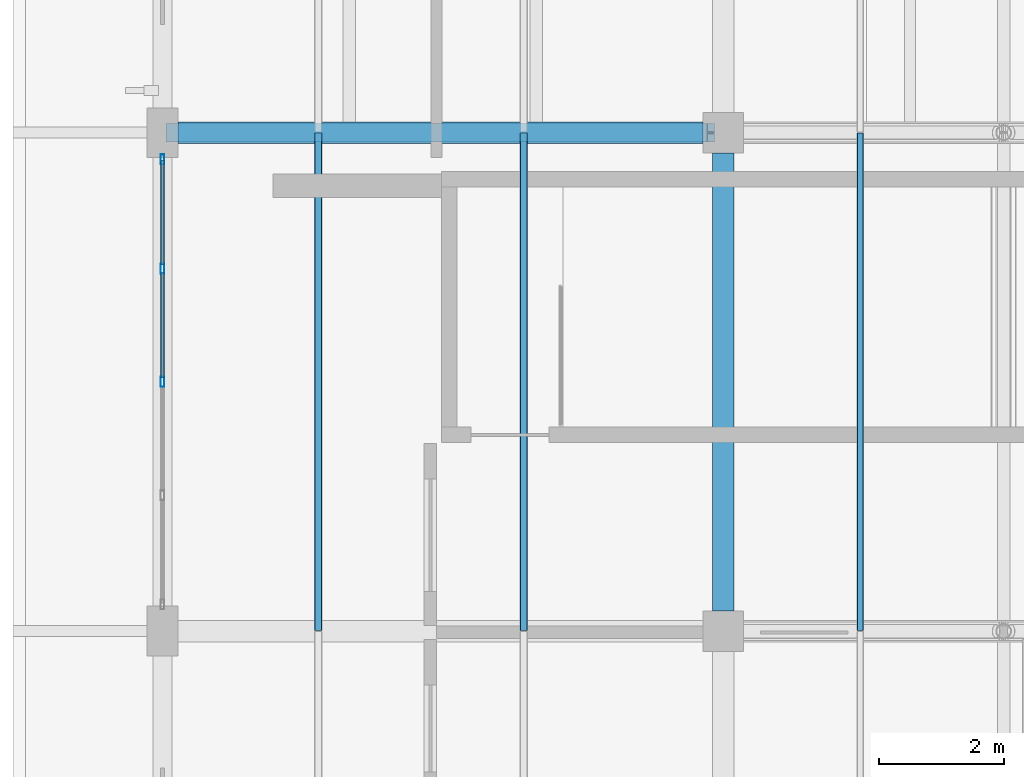
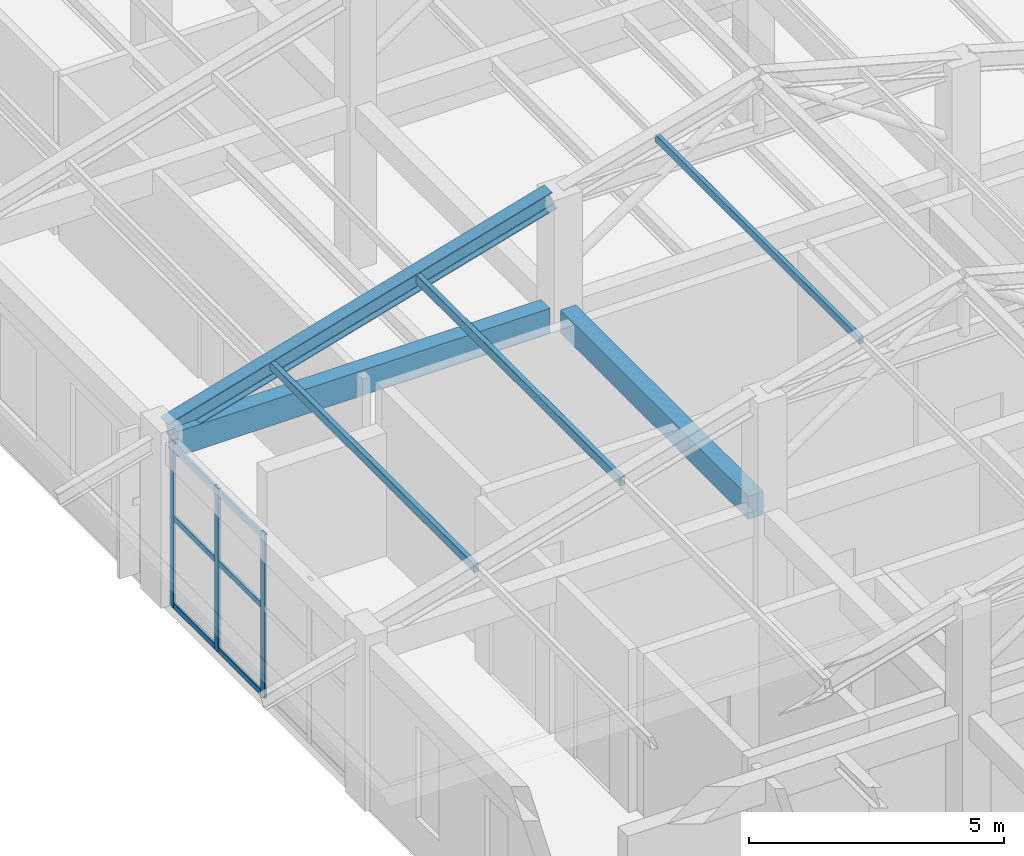
# One storey, part 20 of 58: 12 members, 3 beams, 1 element without a shape of its own.
"""IFC4 building model written with IfcOpenShell, lengths in metres."""

from ifc_helpers import new_model, si_unit, derived_unit, direction, frame, origin, origin_2d, place, context, subcontext, project, spatial, rectangle, hollow_rectangle, i_section, extrude, material, material_profile, profile_set, type_object, element, aggregate, save


model = new_model("IFC4")

# Units and contexts
model_context = context("Model", 3, precision=1e-05, world=origin(), true_north=direction((0.0, 1.0)))
body_context = subcontext(model_context, "Body", "Model", "MODEL_VIEW")
ifc_project = project(units=[si_unit("LENGTHUNIT", "METRE"), si_unit("AREAUNIT", "SQUARE_METRE"), si_unit("VOLUMEUNIT", "CUBIC_METRE"), si_unit("PLANEANGLEUNIT", "RADIAN"), si_unit("MASSUNIT", "GRAM", prefix="KILO"), derived_unit("THERMALTRANSMITTANCEUNIT", [(si_unit("MASSUNIT", "GRAM", prefix="KILO"), 1), (si_unit("TIMEUNIT", "SECOND"), -3), (si_unit("THERMODYNAMICTEMPERATUREUNIT", "KELVIN"), -1)])], contexts=[model_context])

# Site, building, storey
site_placement = place(None, origin())
site = spatial("IfcSite", under=ifc_project, at=site_placement, CompositionType="ELEMENT")
building_placement = place(site_placement, origin())
building = spatial("IfcBuilding", under=site, at=building_placement, Name="Zhenchuan Archway Interchange", CompositionType="ELEMENT")
storey_placement = place(building_placement, frame((0.0, 0.0, 22.800048828125)))
storey = spatial("IfcBuildingStorey", under=building, at=storey_placement, Name="L05", CompositionType="ELEMENT", Elevation=22.800048828125)

# Beams
ifc_material_1 = material(Name="Concrete C40", Category="concrete")
ifc_material_profile_1 = material_profile(ifc_material_1, rectangle(XDim=0.35009765625, YDim=0.550048828125, at=origin_2d()), Name="RC 350x550")
ifc_profile_set_1 = profile_set([ifc_material_profile_1], Name="Concrete C40")
beam_type_1 = type_object("IfcBeamType", Name="BM_RC_350x550", PredefinedType="BEAM", material=ifc_profile_set_1)
beam_1_placement = place(storey_placement, frame((153.0, 56.324951171875, 3.64501953125), z_axis=(0.0, 1.0, 0.0), x_axis=(-1.0, 0.0, 0.0)))
element("IfcBeam", 1, at=beam_1_placement, inside=storey, type_object=beam_type_1, Name="Beam 18:H-J (L05)", PredefinedType="BEAM", context=body_context, shape_type="SweptSolid", body=[
    extrude(rectangle(XDim=0.35009765625, YDim=0.550048828125, at=origin_2d()), origin(), (0.0, 0.0, 1.0), 7.35009765625),
])
ifc_material_profile_2 = material_profile(ifc_material_1, rectangle(XDim=0.35009765625, YDim=0.60009765625, at=origin_2d()), Name="RC 350x600")
ifc_profile_set_2 = profile_set([ifc_material_profile_2], Name="Concrete C40")
beam_type_2 = type_object("IfcBeamType", Name="BM_RC_350x600", PredefinedType="BEAM", material=ifc_profile_set_2)
beam_2_placement = place(storey_placement, frame((144.25, 64.0, 3.619873046875), z_axis=(1.0, 0.0, 0.0), x_axis=(0.0, 1.0, 0.0)))
element("IfcBeam", 2, at=beam_2_placement, inside=storey, type_object=beam_type_2, Name="Beam J:17-18 (L05)", PredefinedType="BEAM", context=body_context, shape_type="SweptSolid", body=[
    extrude(rectangle(XDim=0.35009765625, YDim=0.60009765625, at=origin_2d()), origin(), (0.0, 0.0, 1.0), 8.425048828125),
])
ifc_material_2 = material(Name="Steel Q355", Category="steel")
ifc_material_profile_3 = material_profile(ifc_material_2, i_section(OverallWidth=0.300048828125, OverallDepth=0.43994140625, WebThickness=0.010986328125, FlangeThickness=0.01806640625, FilletRadius=0.02197265625, at=origin_2d()), Name="HM 440x300")
ifc_profile_set_3 = profile_set([ifc_material_profile_3], Name="Steel Q355")
beam_type_3 = type_object("IfcBeamType", Name="BM_STL_HM440", PredefinedType="BEAM", material=ifc_profile_set_3)
beam_3_placement = place(storey_placement, frame((144.1201171875, 64.0, 3.93994140625), z_axis=(0.960641143949, 0.0, 0.277792355102), x_axis=(0.0, 1.0, 0.0)))
element("IfcBeam", 3, at=beam_3_placement, inside=storey, type_object=beam_type_3, Name="ROOF TRUSS command wing T6 west lower rafter", PredefinedType="BEAM", context=body_context, shape_type="SweptSolid", body=[
    extrude(i_section(OverallWidth=0.300048828125, OverallDepth=0.43994140625, WebThickness=0.010986328125, FlangeThickness=0.01806640625, FilletRadius=0.02197265625, at=origin_2d()), origin(), (0.0, 0.0, 1.0), 9.03564453125),
])

# Curtain wall, members
ifc_material_3 = material(Name="Anodised Aluminium", Category="aluminium")
curtain_wall_type = type_object("IfcCurtainWallType", Name="CW_UNIT_4", PredefinedType="NOTDEFINED", material=ifc_material_3)
curtain_wall_placement = place(storey_placement, origin())
curtain_wall = element("IfcCurtainWall", 4, at=curtain_wall_placement, inside=storey, type_object=curtain_wall_type, Name="Unitised curtain wall CW:L05:203", PredefinedType="NOTDEFINED")
ifc_material_profile_4 = material_profile(ifc_material_3, hollow_rectangle(XDim=0.06005859375, YDim=0.159912109375, WallThickness=0.00390625, InnerFilletRadius=0.00390625, OuterFilletRadius=0.008056640625, at=origin_2d()), Name="ALU 160x60x4")
ifc_profile_set_4 = profile_set([ifc_material_profile_4], Name="Anodised Aluminium")
member_type_1 = type_object("IfcMemberType", Name="CW_MUL_150", PredefinedType="MULLION", material=ifc_profile_set_4)
member_1_placement = place(storey_placement, frame((144.0, 60.0, 0.0), z_axis=(0.0, 0.0, 1.0), x_axis=(1.0, 0.0, 0.0)))
member_1 = element("IfcMember", 5, at=member_1_placement, type_object=member_type_1, Name="CW:L05:203 mullion 2", PredefinedType="MULLION", context=body_context, shape_type="SweptSolid", body=[
    extrude(hollow_rectangle(XDim=0.06005859375, YDim=0.159912109375, WallThickness=0.00390625, InnerFilletRadius=0.00390625, OuterFilletRadius=0.008056640625, at=origin_2d()), origin(), (0.0, 0.0, 1.0), 3.919921875),
])
member_2_placement = place(storey_placement, frame((144.0, 61.81591796875, 0.0), z_axis=(0.0, 0.0, 1.0), x_axis=(1.0, 0.0, 0.0)))
member_2 = element("IfcMember", 6, at=member_2_placement, type_object=member_type_1, Name="CW:L05:203 mullion 3", PredefinedType="MULLION", context=body_context, shape_type="SweptSolid", body=[
    extrude(hollow_rectangle(XDim=0.06005859375, YDim=0.159912109375, WallThickness=0.00390625, InnerFilletRadius=0.00390625, OuterFilletRadius=0.008056640625, at=origin_2d()), origin(), (0.0, 0.0, 1.0), 3.919921875),
])
member_3_placement = place(storey_placement, frame((144.0, 63.572021484375, 0.0), z_axis=(0.0, 0.0, 1.0), x_axis=(1.0, 0.0, 0.0)))
member_3 = element("IfcMember", 7, at=member_3_placement, type_object=member_type_1, Name="CW:L05:203 mullion 4", PredefinedType="MULLION", context=body_context, shape_type="SweptSolid", body=[
    extrude(hollow_rectangle(XDim=0.06005859375, YDim=0.159912109375, WallThickness=0.00390625, InnerFilletRadius=0.00390625, OuterFilletRadius=0.008056640625, at=origin_2d()), origin(), (0.0, 0.0, 1.0), 3.919921875),
])
ifc_material_profile_5 = material_profile(ifc_material_3, hollow_rectangle(XDim=0.06005859375, YDim=0.139892578125, WallThickness=0.00341796875, InnerFilletRadius=0.00341796875, OuterFilletRadius=0.007080078125, at=origin_2d()), Name="ALU 140x60x3.5")
ifc_profile_set_5 = profile_set([ifc_material_profile_5], Name="Anodised Aluminium")
member_type_2 = type_object("IfcMemberType", Name="CW_TRN_140", PredefinedType="USERDEFINED", material=ifc_profile_set_5)
member_4_placement = place(storey_placement, frame((144.0, 60.06005859375, 0.06005859375), z_axis=(0.0, 1.0, 0.0), x_axis=(-1.0, 0.0, 0.0)))
member_4 = element("IfcMember", 8, at=member_4_placement, type_object=member_type_2, Name="CW:L05:203 transom 2-1", ObjectType="TRANSOM", PredefinedType="USERDEFINED", context=body_context, shape_type="SweptSolid", body=[
    extrude(hollow_rectangle(XDim=0.06005859375, YDim=0.139892578125, WallThickness=0.00341796875, InnerFilletRadius=0.00341796875, OuterFilletRadius=0.007080078125, at=origin_2d()), origin(), (0.0, 0.0, 1.0), 1.696044921875),
])
member_5_placement = place(storey_placement, frame((144.0, 60.06005859375, 2.14501953125), z_axis=(0.0, 1.0, 0.0), x_axis=(-1.0, 0.0, 0.0)))
member_5 = element("IfcMember", 9, at=member_5_placement, type_object=member_type_2, Name="CW:L05:203 transom 2-2", ObjectType="TRANSOM", PredefinedType="USERDEFINED", context=body_context, shape_type="SweptSolid", body=[
    extrude(hollow_rectangle(XDim=0.06005859375, YDim=0.139892578125, WallThickness=0.00341796875, InnerFilletRadius=0.00341796875, OuterFilletRadius=0.007080078125, at=origin_2d()), origin(), (0.0, 0.0, 1.0), 1.696044921875),
])
member_6_placement = place(storey_placement, frame((144.0, 60.06005859375, 3.83984375), z_axis=(0.0, 1.0, 0.0), x_axis=(-1.0, 0.0, 0.0)))
member_6 = element("IfcMember", 10, at=member_6_placement, type_object=member_type_2, Name="CW:L05:203 transom 2-3", ObjectType="TRANSOM", PredefinedType="USERDEFINED", context=body_context, shape_type="SweptSolid", body=[
    extrude(hollow_rectangle(XDim=0.06005859375, YDim=0.139892578125, WallThickness=0.00341796875, InnerFilletRadius=0.00341796875, OuterFilletRadius=0.007080078125, at=origin_2d()), origin(), (0.0, 0.0, 1.0), 1.696044921875),
])
member_7_placement = place(storey_placement, frame((144.0, 61.8759765625, 0.06005859375), z_axis=(0.0, 1.0, 0.0), x_axis=(-1.0, 0.0, 0.0)))
member_7 = element("IfcMember", 11, at=member_7_placement, type_object=member_type_2, Name="CW:L05:203 transom 3-1", ObjectType="TRANSOM", PredefinedType="USERDEFINED", context=body_context, shape_type="SweptSolid", body=[
    extrude(hollow_rectangle(XDim=0.06005859375, YDim=0.139892578125, WallThickness=0.00341796875, InnerFilletRadius=0.00341796875, OuterFilletRadius=0.007080078125, at=origin_2d()), origin(), (0.0, 0.0, 1.0), 1.676025390625),
])
member_8_placement = place(storey_placement, frame((144.0, 61.8759765625, 2.14501953125), z_axis=(0.0, 1.0, 0.0), x_axis=(-1.0, 0.0, 0.0)))
member_8 = element("IfcMember", 12, at=member_8_placement, type_object=member_type_2, Name="CW:L05:203 transom 3-2", ObjectType="TRANSOM", PredefinedType="USERDEFINED", context=body_context, shape_type="SweptSolid", body=[
    extrude(hollow_rectangle(XDim=0.06005859375, YDim=0.139892578125, WallThickness=0.00341796875, InnerFilletRadius=0.00341796875, OuterFilletRadius=0.007080078125, at=origin_2d()), origin(), (0.0, 0.0, 1.0), 1.676025390625),
])
member_9_placement = place(storey_placement, frame((144.0, 61.8759765625, 3.83984375), z_axis=(0.0, 1.0, 0.0), x_axis=(-1.0, 0.0, 0.0)))
member_9 = element("IfcMember", 13, at=member_9_placement, type_object=member_type_2, Name="CW:L05:203 transom 3-3", ObjectType="TRANSOM", PredefinedType="USERDEFINED", context=body_context, shape_type="SweptSolid", body=[
    extrude(hollow_rectangle(XDim=0.06005859375, YDim=0.139892578125, WallThickness=0.00341796875, InnerFilletRadius=0.00341796875, OuterFilletRadius=0.007080078125, at=origin_2d()), origin(), (0.0, 0.0, 1.0), 1.676025390625),
])
aggregate(curtain_wall, [member_1, member_2, member_3, member_4, member_5, member_6, member_7, member_8, member_9])

# Members
ifc_material_profile_6 = material_profile(ifc_material_2, hollow_rectangle(XDim=0.10009765625, YDim=0.179931640625, WallThickness=0.006103515625, InnerFilletRadius=0.006103515625, OuterFilletRadius=0.011962890625, at=origin_2d()), Name="RHS 180x100x6")
ifc_profile_set_6 = profile_set([ifc_material_profile_6], Name="Steel Q355")
member_type_3 = type_object("IfcMemberType", Name="MB_RHS180", PredefinedType="PURLIN", material=ifc_profile_set_6)
member_10_placement = place(storey_placement, frame((155.199951171875, 56.008056640625, 7.02001953125), z_axis=(0.0, 1.0, 0.0), x_axis=(-1.0, 0.0, 0.0)))
element("IfcMember", 14, at=member_10_placement, inside=storey, type_object=member_type_3, Name="Command wing roof purlin B5-P3", PredefinedType="PURLIN", context=body_context, shape_type="SweptSolid", body=[
    extrude(hollow_rectangle(XDim=0.10009765625, YDim=0.179931640625, WallThickness=0.006103515625, InnerFilletRadius=0.006103515625, OuterFilletRadius=0.011962890625, at=origin_2d()), origin(), (0.0, 0.0, 1.0), 7.98388671875),
])
ifc_material_profile_7 = material_profile(ifc_material_2, hollow_rectangle(XDim=0.1201171875, YDim=0.199951171875, WallThickness=0.008056640625, InnerFilletRadius=0.008056640625, OuterFilletRadius=0.01611328125, at=origin_2d()), Name="RHS 200x120x8")
ifc_profile_set_7 = profile_set([ifc_material_profile_7], Name="Steel Q355")
member_type_4 = type_object("IfcMemberType", Name="MB_RHS200", PredefinedType="PURLIN", material=ifc_profile_set_7)
member_11_placement = place(storey_placement, frame((146.5, 56.008056640625, 4.619873046875), z_axis=(0.0, 1.0, 0.0), x_axis=(-1.0, 0.0, 0.0)))
element("IfcMember", 15, at=member_11_placement, inside=storey, type_object=member_type_4, Name="Command wing roof purlin B5-P1", PredefinedType="PURLIN", context=body_context, shape_type="SweptSolid", body=[
    extrude(hollow_rectangle(XDim=0.1201171875, YDim=0.199951171875, WallThickness=0.008056640625, InnerFilletRadius=0.008056640625, OuterFilletRadius=0.01611328125, at=origin_2d()), origin(), (0.0, 0.0, 1.0), 7.98388671875),
])
ifc_material_profile_8 = material_profile(ifc_material_2, hollow_rectangle(XDim=0.1201171875, YDim=0.219970703125, WallThickness=0.008056640625, InnerFilletRadius=0.008056640625, OuterFilletRadius=0.01611328125, at=origin_2d()), Name="RHS 220x120x8")
ifc_profile_set_8 = profile_set([ifc_material_profile_8], Name="Steel Q355")
member_type_5 = type_object("IfcMemberType", Name="MB_RHS220", PredefinedType="PURLIN", material=ifc_profile_set_8)
member_12_placement = place(storey_placement, frame((149.800048828125, 56.008056640625, 5.5400390625), z_axis=(0.0, 1.0, 0.0), x_axis=(-1.0, 0.0, 0.0)))
element("IfcMember", 16, at=member_12_placement, inside=storey, type_object=member_type_5, Name="Command wing roof purlin B5-P2", PredefinedType="PURLIN", context=body_context, shape_type="SweptSolid", body=[
    extrude(hollow_rectangle(XDim=0.1201171875, YDim=0.219970703125, WallThickness=0.008056640625, InnerFilletRadius=0.008056640625, OuterFilletRadius=0.01611328125, at=origin_2d()), origin(), (0.0, 0.0, 1.0), 7.98388671875),
])

save(model, "model.ifc")
